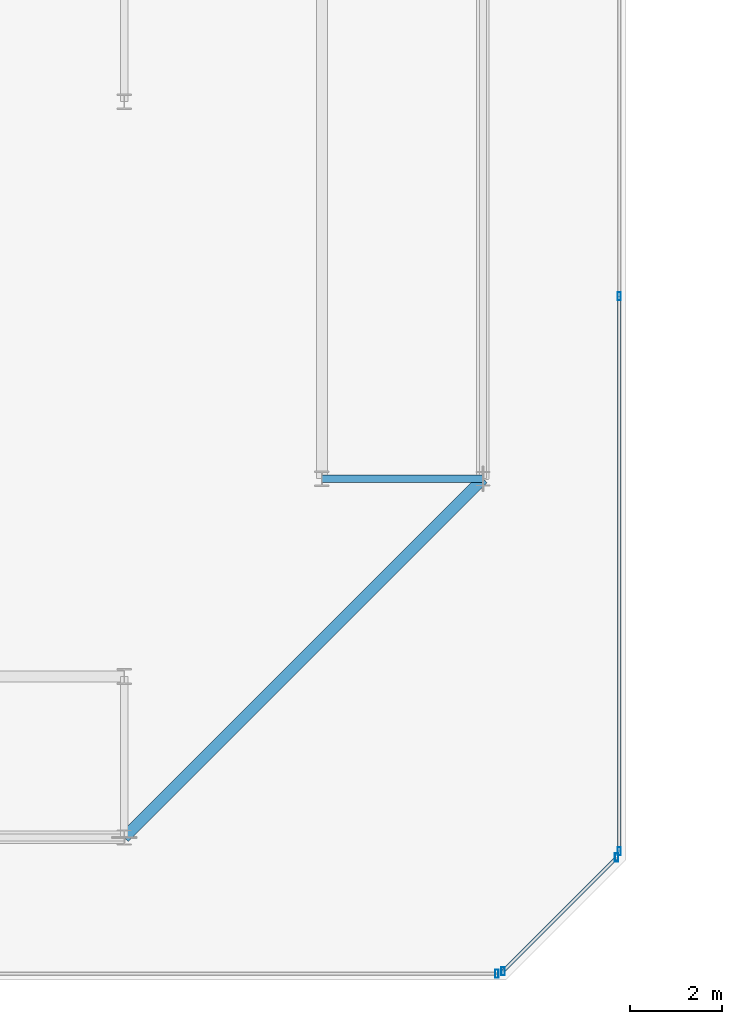
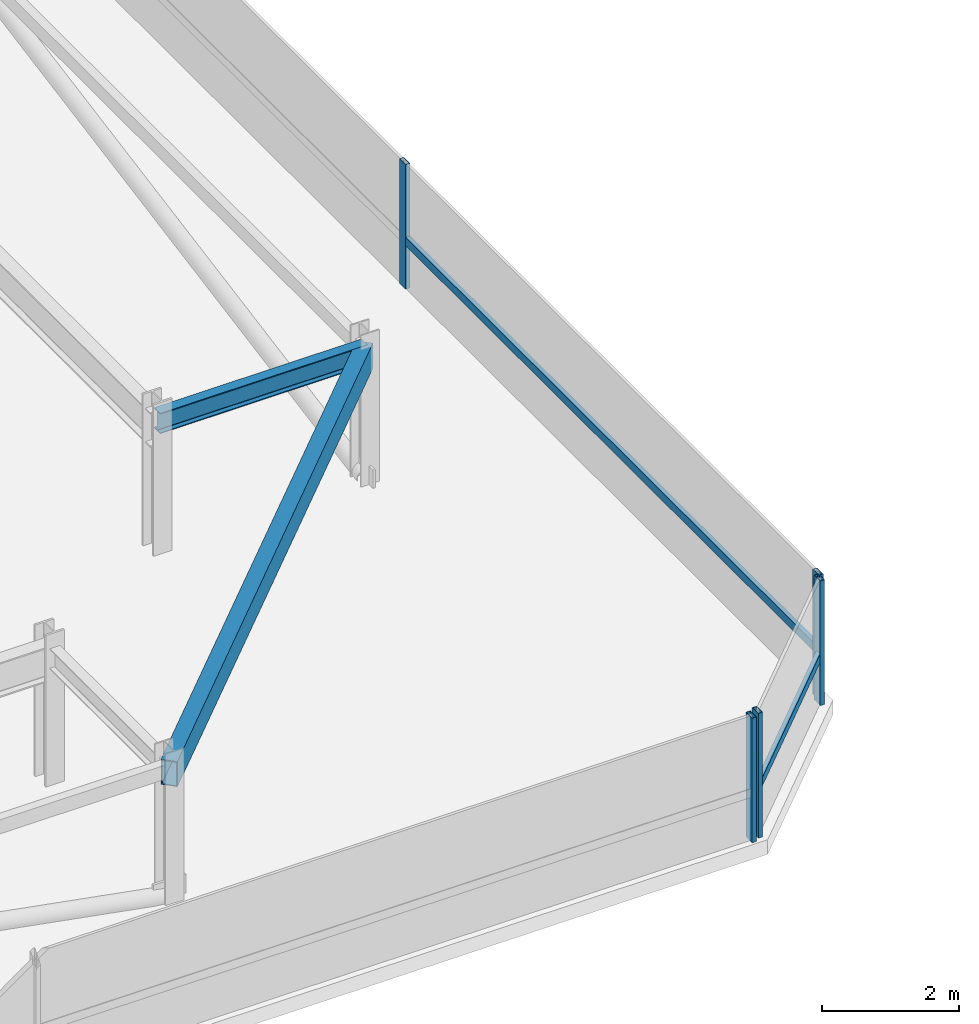
# One storey, part 16 of 42: 7 members, 2 beams, 3 elements without a shape of their own.
"""IFC4 building model written with IfcOpenShell, lengths in metres."""

from ifc_helpers import new_model, si_unit, direction, frame, origin, origin_2d, place, context, subcontext, project, spatial, hollow_rectangle, i_section, extrude, material, material_profile, profile_set, type_object, element, aggregate, save


model = new_model("IFC4")

# Units and contexts
model_context = context("Model", 3, precision=1e-05, world=origin(), true_north=direction((0.0, 1.0)))
body_context = subcontext(model_context, "Body", "Model", "MODEL_VIEW")
ifc_project = project(units=[si_unit("LENGTHUNIT", "METRE"), si_unit("AREAUNIT", "SQUARE_METRE"), si_unit("VOLUMEUNIT", "CUBIC_METRE"), si_unit("PLANEANGLEUNIT", "RADIAN"), si_unit("MASSUNIT", "GRAM", prefix="KILO")], contexts=[model_context])

# Site, building, storey
site_placement = place(None, origin())
site = spatial("IfcSite", under=ifc_project, at=site_placement, CompositionType="ELEMENT")
building_placement = place(site_placement, origin())
building = spatial("IfcBuilding", under=site, at=building_placement, Name="Thornwick Lancets Civic Towers", CompositionType="ELEMENT")
storey_placement = place(building_placement, frame((0.0, 0.0, 286.800048828125)))
storey = spatial("IfcBuildingStorey", under=building, at=storey_placement, Name="C03", CompositionType="ELEMENT", Elevation=286.800048828125)

# Beams
ifc_material_1 = material(Name="Steel S355JR", Category="steel")
ifc_material_profile_1 = material_profile(ifc_material_1, i_section(OverallWidth=0.173095703125, OverallDepth=0.36328125, WebThickness=0.009033203125, FlangeThickness=0.015625, FilletRadius=0.01025390625, at=origin_2d()), Name="UKB 356x171x67")
ifc_profile_set_1 = profile_set([ifc_material_profile_1], Name="Steel S355JR")
beam_type_1 = type_object("IfcBeamType", Name="BM_JOIST_356_67", PredefinedType="JOIST", material=ifc_profile_set_1)
beam_1_placement = place(storey_placement, frame((42.800048828125, 14.0, 2.25830078125), z_axis=(1.0, 0.0, 0.0), x_axis=(0.0, 1.0, 0.0)))
element("IfcBeam", 1, at=beam_1_placement, inside=storey, type_object=beam_type_1, Name="BM-RAD-C03-A04", PredefinedType="JOIST", context=body_context, shape_type="SweptSolid", body=[
    extrude(i_section(OverallWidth=0.173095703125, OverallDepth=0.36328125, WebThickness=0.009033203125, FlangeThickness=0.015625, FilletRadius=0.01025390625, at=origin_2d()), origin(), (0.0, 0.0, 1.0), 3.5),
])
ifc_material_profile_2 = material_profile(ifc_material_1, hollow_rectangle(XDim=0.25, YDim=0.449951171875, WallThickness=0.01611328125, at=origin_2d()), Name="RHS 450x250x16")
ifc_profile_set_2 = profile_set([ifc_material_profile_2], Name="Steel S355JR")
beam_type_2 = type_object("IfcBeamType", Name="BM_RING_RHS450", PredefinedType="BEAM", material=ifc_profile_set_2)
beam_2_placement = place(storey_placement, frame((38.5, 6.199951171875, 2.21484375), z_axis=(0.707106781187, 0.707106781187, 0.0), x_axis=(-0.707106781187, 0.707106781187, 0.0)))
element("IfcBeam", 2, at=beam_2_placement, inside=storey, type_object=beam_type_2, Name="BM-CHAMF-C03-A-C0", PredefinedType="BEAM", context=body_context, shape_type="SweptSolid", body=[
    extrude(hollow_rectangle(XDim=0.25, YDim=0.449951171875, WallThickness=0.01611328125, at=origin_2d()), origin(), (0.0, 0.0, 1.0), 11.031005859375),
])

# Curtain wall, member
ifc_material_2 = material(Name="Crown ring acoustic-louvre and glazing screen wall", Category="glass")
curtain_wall_type = type_object("IfcCurtainWallType", Name="CW_SYS_07", PredefinedType="NOTDEFINED", material=ifc_material_2)
curtain_wall_1_placement = place(storey_placement, origin())
curtain_wall_1 = element("IfcCurtainWall", 3, at=curtain_wall_1_placement, inside=storey, type_object=curtain_wall_type, Name="C03 Curtain Wall CW-C03-A-E0", PredefinedType="NOTDEFINED")
ifc_material_3 = material(Name="Thermally broken bronze aluminium S355", Category="steel")
ifc_material_profile_3 = material_profile(ifc_material_3, hollow_rectangle(XDim=0.074951171875, YDim=0.179931640625, WallThickness=0.006103515625, at=origin_2d()), Name="RHS 180x75x6")
ifc_profile_set_3 = profile_set([ifc_material_profile_3], Name="Thermally broken bronze aluminium S355")
member_type_1 = type_object("IfcMemberType", Name="CW_MUL_180", PredefinedType="MULLION", material=ifc_profile_set_3)
member_1_placement = place(storey_placement, frame((46.601318359375, 3.2353515625, 0.0), z_axis=(0.0, 0.0, 1.0), x_axis=(1.0, 0.0, 0.0)))
member_1 = element("IfcMember", 4, at=member_1_placement, type_object=member_type_1, Name="CW-C03-A-E0 Mullion 3", PredefinedType="MULLION", context=body_context, shape_type="SweptSolid", body=[
    extrude(hollow_rectangle(XDim=0.074951171875, YDim=0.179931640625, WallThickness=0.006103515625, at=origin_2d()), origin(), (0.0, 0.0, 1.0), 2.219970703125),
])
aggregate(curtain_wall_1, [member_1])

# Curtain wall, members
curtain_wall_2_placement = place(storey_placement, origin())
curtain_wall_2 = element("IfcCurtainWall", 5, at=curtain_wall_2_placement, inside=storey, type_object=curtain_wall_type, Name="C03 Curtain Wall CW-C03-A-E1", PredefinedType="NOTDEFINED")
member_2_placement = place(storey_placement, frame((46.738037109375, 3.2919921875, 0.0), z_axis=(0.0, 0.0, 1.0), x_axis=(1.0, 0.0, 0.0)))
member_2 = element("IfcMember", 6, at=member_2_placement, type_object=member_type_1, Name="CW-C03-A-E1 Mullion 0", PredefinedType="MULLION", context=body_context, shape_type="SweptSolid", body=[
    extrude(hollow_rectangle(XDim=0.074951171875, YDim=0.179931640625, WallThickness=0.006103515625, at=origin_2d()), origin(), (0.0, 0.0, 1.0), 2.219970703125),
])
member_3_placement = place(storey_placement, frame((49.2080078125, 5.761962890625, 0.0), z_axis=(0.0, 0.0, 1.0), x_axis=(1.0, 0.0, 0.0)))
member_3 = element("IfcMember", 7, at=member_3_placement, type_object=member_type_1, Name="CW-C03-A-E1 Mullion 1", PredefinedType="MULLION", context=body_context, shape_type="SweptSolid", body=[
    extrude(hollow_rectangle(XDim=0.074951171875, YDim=0.179931640625, WallThickness=0.006103515625, at=origin_2d()), origin(), (0.0, 0.0, 1.0), 2.219970703125),
])

curtain_wall_3_placement = place(storey_placement, origin())
curtain_wall_3 = element("IfcCurtainWall", 8, at=curtain_wall_3_placement, inside=storey, type_object=curtain_wall_type, Name="C03 Curtain Wall CW-C03-A-E2", PredefinedType="NOTDEFINED")
member_4_placement = place(storey_placement, frame((49.2646484375, 5.898681640625, 0.0), z_axis=(0.0, 0.0, 1.0), x_axis=(1.0, 0.0, 0.0)))
member_4 = element("IfcMember", 9, at=member_4_placement, type_object=member_type_1, Name="CW-C03-A-E2 Mullion 0", PredefinedType="MULLION", context=body_context, shape_type="SweptSolid", body=[
    extrude(hollow_rectangle(XDim=0.074951171875, YDim=0.179931640625, WallThickness=0.006103515625, at=origin_2d()), origin(), (0.0, 0.0, 1.0), 2.219970703125),
])
member_5_placement = place(storey_placement, frame((49.2646484375, 17.96630859375, 0.0), z_axis=(0.0, 0.0, 1.0), x_axis=(1.0, 0.0, 0.0)))
member_5 = element("IfcMember", 10, at=member_5_placement, type_object=member_type_1, Name="CW-C03-A-E2 Mullion 1", PredefinedType="MULLION", context=body_context, shape_type="SweptSolid", body=[
    extrude(hollow_rectangle(XDim=0.074951171875, YDim=0.179931640625, WallThickness=0.006103515625, at=origin_2d()), origin(), (0.0, 0.0, 1.0), 2.219970703125),
])

# Member
ifc_material_profile_4 = material_profile(ifc_material_3, hollow_rectangle(XDim=0.074951171875, YDim=0.14990234375, WallThickness=0.0048828125, at=origin_2d()), Name="RHS 150x75x5")
ifc_profile_set_4 = profile_set([ifc_material_profile_4], Name="Thermally broken bronze aluminium S355")
member_type_2 = type_object("IfcMemberType", Name="CW_TRN_150", PredefinedType="USERDEFINED", material=ifc_profile_set_4)
member_6_placement = place(storey_placement, frame((46.752197265625, 3.30615234375, 0.849853515625), z_axis=(0.707106781187, 0.707106781187, 0.0), x_axis=(-0.707106781187, 0.707106781187, 0.0)))
member_6 = element("IfcMember", 11, at=member_6_placement, type_object=member_type_2, Name="CW-C03-A-E1 Transom 0", ObjectType="TRANSOM", PredefinedType="USERDEFINED", context=body_context, shape_type="SweptSolid", body=[
    extrude(hollow_rectangle(XDim=0.074951171875, YDim=0.14990234375, WallThickness=0.0048828125, at=origin_2d()), origin(), (0.0, 0.0, 1.0), 3.453125),
])

aggregate(curtain_wall_2, [member_2, member_3, member_6])

member_7_placement = place(storey_placement, frame((49.2646484375, 5.918701171875, 0.849853515625), z_axis=(0.0, 1.0, 0.0), x_axis=(-1.0, 0.0, 0.0)))
member_7 = element("IfcMember", 12, at=member_7_placement, type_object=member_type_2, Name="CW-C03-A-E2 Transom 0", ObjectType="TRANSOM", PredefinedType="USERDEFINED", context=body_context, shape_type="SweptSolid", body=[
    extrude(hollow_rectangle(XDim=0.074951171875, YDim=0.14990234375, WallThickness=0.0048828125, at=origin_2d()), origin(), (0.0, 0.0, 1.0), 12.027587890625),
])

aggregate(curtain_wall_3, [member_4, member_5, member_7])

save(model, "model.ifc")
